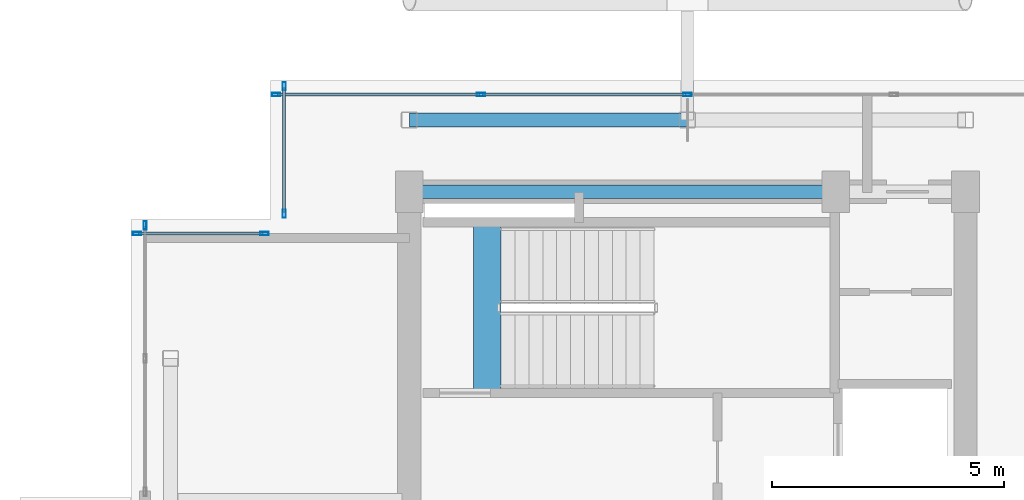
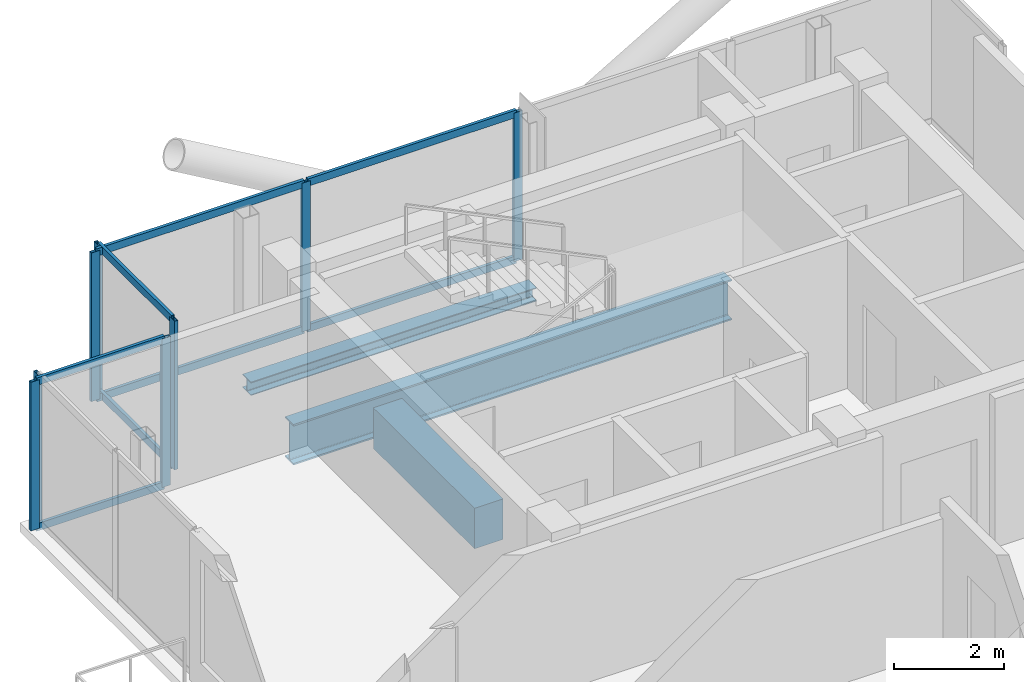
# One storey, part 8 of 18: 16 members, 3 beams, 4 elements without a shape of their own.
"""IFC4 building model written with IfcOpenShell, lengths in metres."""

from ifc_helpers import new_model, si_unit, direction, frame, origin, origin_2d, place, context, subcontext, project, spatial, rectangle, hollow_rectangle, i_section, extrude, material, layer, layer_set, material_profile, profile_set, type_object, element, aggregate, save


model = new_model("IFC4")

# Units and contexts
model_context = context("Model", 3, precision=1e-05, world=origin(), true_north=direction((0.0, 1.0)))
body_context = subcontext(model_context, "Body", "Model", "MODEL_VIEW")
ifc_project = project(units=[si_unit("LENGTHUNIT", "METRE"), si_unit("AREAUNIT", "SQUARE_METRE"), si_unit("VOLUMEUNIT", "CUBIC_METRE"), si_unit("PLANEANGLEUNIT", "RADIAN"), si_unit("MASSUNIT", "GRAM", prefix="KILO"), si_unit("THERMODYNAMICTEMPERATUREUNIT", "KELVIN"), si_unit("POWERUNIT", "WATT")], contexts=[model_context])

# Site, building, storey
site_placement = place(None, origin())
site = spatial("IfcSite", under=ifc_project, at=site_placement, CompositionType="ELEMENT")
building_placement = place(site_placement, origin())
building = spatial("IfcBuilding", under=site, at=building_placement, Name="Svarakhadi Broadcast Tower", CompositionType="ELEMENT")
storey_placement = place(building_placement, frame((0.0, 0.0, 281.699951171875)))
storey = spatial("IfcBuildingStorey", under=building, at=storey_placement, Name="L71", CompositionType="ELEMENT", Elevation=281.699951171875)

# Curtain wall, member
ifc_material_1 = material(Name="Anodised Bronze Aluminium AA 6063-T6", Category="aluminium")
ifc_layer = layer(ifc_material_1, 0.179931640625)
ifc_layer_set = layer_set([ifc_layer], Name="Anodised Bronze Aluminium AA 6063-T6")
curtain_wall_type = type_object("IfcCurtainWallType", Name="CW_Sys_05", PredefinedType="NOTDEFINED", material=ifc_layer_set)
curtain_wall_1_placement = place(storey_placement, origin())
curtain_wall_1 = element("IfcCurtainWall", 1, at=curtain_wall_1_placement, inside=storey, type_object=curtain_wall_type, Name="L71 West Curtain Wall 03", PredefinedType="NOTDEFINED")
ifc_material_profile_1 = material_profile(ifc_material_1, hollow_rectangle(XDim=0.070068359375, YDim=0.179931640625, WallThickness=0.005615234375, at=origin_2d()), Name="ALU MULLION 180x70x6")
ifc_profile_set_1 = profile_set([ifc_material_profile_1], Name="Anodised Bronze Aluminium AA 6063-T6")
member_type_1 = type_object("IfcMemberType", Name="CW_Sys_05_Mul", PredefinedType="MULLION", material=ifc_profile_set_1)
member_1_placement = place(storey_placement, frame((0.300048828125, 26.875, 0.0), z_axis=(0.0, 0.0, 1.0), x_axis=(-1.0, 0.0, 0.0)))
member_1 = element("IfcMember", 2, at=member_1_placement, type_object=member_type_1, Name="CW-05 mullion 3", PredefinedType="MULLION", context=body_context, shape_type="SweptSolid", body=[
    extrude(hollow_rectangle(XDim=0.070068359375, YDim=0.179931640625, WallThickness=0.005615234375, at=origin_2d()), origin(), (0.0, 0.0, 1.0), 3.300048828125),
])
aggregate(curtain_wall_1, [member_1])

# Curtain wall, members
curtain_wall_2_placement = place(storey_placement, origin())
curtain_wall_2 = element("IfcCurtainWall", 3, at=curtain_wall_2_placement, inside=storey, type_object=curtain_wall_type, Name="L71 Unitised Facade Curtain Wall 04", PredefinedType="NOTDEFINED")
member_2_placement = place(storey_placement, frame((0.125, 26.699951171875, 0.0), z_axis=(0.0, 0.0, 1.0), x_axis=(0.0, 1.0, 0.0)))
member_2 = element("IfcMember", 4, at=member_2_placement, type_object=member_type_1, Name="CW-05 mullion 1", PredefinedType="MULLION", context=body_context, shape_type="SweptSolid", body=[
    extrude(hollow_rectangle(XDim=0.070068359375, YDim=0.179931640625, WallThickness=0.005615234375, at=origin_2d()), origin(), (0.0, 0.0, 1.0), 3.300048828125),
])
member_3_placement = place(storey_placement, frame((2.875, 26.699951171875, 0.0), z_axis=(0.0, 0.0, 1.0), x_axis=(0.0, 1.0, 0.0)))
member_3 = element("IfcMember", 5, at=member_3_placement, type_object=member_type_1, Name="CW-05 mullion 2", PredefinedType="MULLION", context=body_context, shape_type="SweptSolid", body=[
    extrude(hollow_rectangle(XDim=0.070068359375, YDim=0.179931640625, WallThickness=0.005615234375, at=origin_2d()), origin(), (0.0, 0.0, 1.0), 3.300048828125),
])

curtain_wall_3_placement = place(storey_placement, origin())
curtain_wall_3 = element("IfcCurtainWall", 6, at=curtain_wall_3_placement, inside=storey, type_object=curtain_wall_type, Name="L71 Unitised Facade Curtain Wall 05", PredefinedType="NOTDEFINED")
member_4_placement = place(storey_placement, frame((3.300048828125, 27.125, 0.0), z_axis=(0.0, 0.0, 1.0), x_axis=(-1.0, 0.0, 0.0)))
member_4 = element("IfcMember", 7, at=member_4_placement, type_object=member_type_1, Name="CW-05 mullion 1", PredefinedType="MULLION", context=body_context, shape_type="SweptSolid", body=[
    extrude(hollow_rectangle(XDim=0.070068359375, YDim=0.179931640625, WallThickness=0.005615234375, at=origin_2d()), origin(), (0.0, 0.0, 1.0), 3.300048828125),
])
member_5_placement = place(storey_placement, frame((3.300048828125, 29.875, 0.0), z_axis=(0.0, 0.0, 1.0), x_axis=(-1.0, 0.0, 0.0)))
member_5 = element("IfcMember", 8, at=member_5_placement, type_object=member_type_1, Name="CW-05 mullion 2", PredefinedType="MULLION", context=body_context, shape_type="SweptSolid", body=[
    extrude(hollow_rectangle(XDim=0.070068359375, YDim=0.179931640625, WallThickness=0.005615234375, at=origin_2d()), origin(), (0.0, 0.0, 1.0), 3.300048828125),
])

curtain_wall_4_placement = place(storey_placement, origin())
curtain_wall_4 = element("IfcCurtainWall", 9, at=curtain_wall_4_placement, inside=storey, type_object=curtain_wall_type, Name="L71 Unitised Facade Curtain Wall 06", PredefinedType="NOTDEFINED")
member_6_placement = place(storey_placement, frame((3.125, 29.699951171875, 0.0), z_axis=(0.0, 0.0, 1.0), x_axis=(0.0, 1.0, 0.0)))
member_6 = element("IfcMember", 10, at=member_6_placement, type_object=member_type_1, Name="CW-05 mullion 1", PredefinedType="MULLION", context=body_context, shape_type="SweptSolid", body=[
    extrude(hollow_rectangle(XDim=0.070068359375, YDim=0.179931640625, WallThickness=0.005615234375, at=origin_2d()), origin(), (0.0, 0.0, 1.0), 3.300048828125),
])
member_7_placement = place(storey_placement, frame((7.544921875, 29.699951171875, 0.0), z_axis=(0.0, 0.0, 1.0), x_axis=(0.0, 1.0, 0.0)))
member_7 = element("IfcMember", 11, at=member_7_placement, type_object=member_type_1, Name="CW-05 mullion 2", PredefinedType="MULLION", context=body_context, shape_type="SweptSolid", body=[
    extrude(hollow_rectangle(XDim=0.070068359375, YDim=0.179931640625, WallThickness=0.005615234375, at=origin_2d()), origin(), (0.0, 0.0, 1.0), 3.300048828125),
])
member_8_placement = place(storey_placement, frame((12.0, 29.699951171875, 0.0), z_axis=(0.0, 0.0, 1.0), x_axis=(0.0, 1.0, 0.0)))
member_8 = element("IfcMember", 12, at=member_8_placement, type_object=member_type_1, Name="CW-05 mullion 3", PredefinedType="MULLION", context=body_context, shape_type="SweptSolid", body=[
    extrude(hollow_rectangle(XDim=0.070068359375, YDim=0.179931640625, WallThickness=0.005615234375, at=origin_2d()), origin(), (0.0, 0.0, 1.0), 3.300048828125),
])

# Member
ifc_material_profile_2 = material_profile(ifc_material_1, hollow_rectangle(XDim=0.06494140625, YDim=0.1650390625, WallThickness=0.0048828125, at=origin_2d()), Name="ALU TRANSOM 165x65x5")
ifc_profile_set_2 = profile_set([ifc_material_profile_2], Name="Anodised Bronze Aluminium AA 6063-T6")
member_type_2 = type_object("IfcMemberType", Name="CW_Sys_05_Trn", PredefinedType="USERDEFINED", material=ifc_profile_set_2)
member_9_placement = place(storey_placement, frame((0.159912109375, 26.699951171875, 0.032470703125), z_axis=(1.0, 0.0, 0.0), x_axis=(0.0, 1.0, 0.0)))
member_9 = element("IfcMember", 13, at=member_9_placement, type_object=member_type_2, Name="CW-05 transom 1.1", ObjectType="TRANSOM", PredefinedType="USERDEFINED", context=body_context, shape_type="SweptSolid", body=[
    extrude(hollow_rectangle(XDim=0.06494140625, YDim=0.1650390625, WallThickness=0.0048828125, at=origin_2d()), origin(), (0.0, 0.0, 1.0), 2.68017578125),
])

member_10_placement = place(storey_placement, frame((0.159912109375, 26.699951171875, 3.267578125), z_axis=(1.0, 0.0, 0.0), x_axis=(0.0, 1.0, 0.0)))
member_10 = element("IfcMember", 14, at=member_10_placement, type_object=member_type_2, Name="CW-05 transom 1.2", ObjectType="TRANSOM", PredefinedType="USERDEFINED", context=body_context, shape_type="SweptSolid", body=[
    extrude(hollow_rectangle(XDim=0.06494140625, YDim=0.1650390625, WallThickness=0.0048828125, at=origin_2d()), origin(), (0.0, 0.0, 1.0), 2.68017578125),
])

aggregate(curtain_wall_2, [member_2, member_3, member_9, member_10])

member_11_placement = place(storey_placement, frame((3.300048828125, 27.159912109375, 0.032470703125), z_axis=(0.0, 1.0, 0.0), x_axis=(-1.0, 0.0, 0.0)))
member_11 = element("IfcMember", 15, at=member_11_placement, type_object=member_type_2, Name="CW-05 transom 1.1", ObjectType="TRANSOM", PredefinedType="USERDEFINED", context=body_context, shape_type="SweptSolid", body=[
    extrude(hollow_rectangle(XDim=0.06494140625, YDim=0.1650390625, WallThickness=0.0048828125, at=origin_2d()), origin(), (0.0, 0.0, 1.0), 2.68017578125),
])

member_12_placement = place(storey_placement, frame((3.300048828125, 27.159912109375, 3.267578125), z_axis=(0.0, 1.0, 0.0), x_axis=(-1.0, 0.0, 0.0)))
member_12 = element("IfcMember", 16, at=member_12_placement, type_object=member_type_2, Name="CW-05 transom 1.2", ObjectType="TRANSOM", PredefinedType="USERDEFINED", context=body_context, shape_type="SweptSolid", body=[
    extrude(hollow_rectangle(XDim=0.06494140625, YDim=0.1650390625, WallThickness=0.0048828125, at=origin_2d()), origin(), (0.0, 0.0, 1.0), 2.68017578125),
])

aggregate(curtain_wall_3, [member_4, member_5, member_11, member_12])

member_13_placement = place(storey_placement, frame((3.159912109375, 29.699951171875, 0.032470703125), z_axis=(1.0, 0.0, 0.0), x_axis=(0.0, 1.0, 0.0)))
member_13 = element("IfcMember", 17, at=member_13_placement, type_object=member_type_2, Name="CW-05 transom 1.1", ObjectType="TRANSOM", PredefinedType="USERDEFINED", context=body_context, shape_type="SweptSolid", body=[
    extrude(hollow_rectangle(XDim=0.06494140625, YDim=0.1650390625, WallThickness=0.0048828125, at=origin_2d()), origin(), (0.0, 0.0, 1.0), 4.35009765625),
])

member_14_placement = place(storey_placement, frame((3.159912109375, 29.699951171875, 3.267578125), z_axis=(1.0, 0.0, 0.0), x_axis=(0.0, 1.0, 0.0)))
member_14 = element("IfcMember", 18, at=member_14_placement, type_object=member_type_2, Name="CW-05 transom 1.2", ObjectType="TRANSOM", PredefinedType="USERDEFINED", context=body_context, shape_type="SweptSolid", body=[
    extrude(hollow_rectangle(XDim=0.06494140625, YDim=0.1650390625, WallThickness=0.0048828125, at=origin_2d()), origin(), (0.0, 0.0, 1.0), 4.35009765625),
])

member_15_placement = place(storey_placement, frame((7.580078125, 29.699951171875, 0.032470703125), z_axis=(1.0, 0.0, 0.0), x_axis=(0.0, 1.0, 0.0)))
member_15 = element("IfcMember", 19, at=member_15_placement, type_object=member_type_2, Name="CW-05 transom 2.1", ObjectType="TRANSOM", PredefinedType="USERDEFINED", context=body_context, shape_type="SweptSolid", body=[
    extrude(hollow_rectangle(XDim=0.06494140625, YDim=0.1650390625, WallThickness=0.0048828125, at=origin_2d()), origin(), (0.0, 0.0, 1.0), 4.385009765625),
])

member_16_placement = place(storey_placement, frame((7.580078125, 29.699951171875, 3.267578125), z_axis=(1.0, 0.0, 0.0), x_axis=(0.0, 1.0, 0.0)))
member_16 = element("IfcMember", 20, at=member_16_placement, type_object=member_type_2, Name="CW-05 transom 2.2", ObjectType="TRANSOM", PredefinedType="USERDEFINED", context=body_context, shape_type="SweptSolid", body=[
    extrude(hollow_rectangle(XDim=0.06494140625, YDim=0.1650390625, WallThickness=0.0048828125, at=origin_2d()), origin(), (0.0, 0.0, 1.0), 4.385009765625),
])

aggregate(curtain_wall_4, [member_6, member_7, member_8, member_13, member_14, member_15, member_16])

# Beams
ifc_material_2 = material(Name="Concrete C50/60 (IS 456 M60)", Category="concrete")
ifc_material_profile_3 = material_profile(ifc_material_2, rectangle(XDim=0.60009765625, YDim=0.89990234375, at=origin_2d()), Name="RC 600x900")
ifc_profile_set_3 = profile_set([ifc_material_profile_3], Name="Concrete C50/60 (IS 456 M60)")
beam_type_1 = type_object("IfcBeamType", Name="Coupling_RC600", PredefinedType="USERDEFINED", material=ifc_profile_set_3)
beam_1_placement = place(storey_placement, frame((7.679931640625, 23.260009765625, -0.449951171875), z_axis=(0.0, 1.0, 0.0), x_axis=(-1.0, 0.0, 0.0)))
element("IfcBeam", 21, at=beam_1_placement, inside=storey, type_object=beam_type_1, Name="L71 Stair ST-01 Landing Throat Trimmer Beam CB-01", ObjectType="GIRDER", PredefinedType="USERDEFINED", context=body_context, shape_type="SweptSolid", body=[
    extrude(rectangle(XDim=0.60009765625, YDim=0.89990234375, at=origin_2d()), origin(), (0.0, 0.0, 1.0), 3.679931640625),
])
ifc_material_3 = material(Name="Steel S355J2 (IS 2062 E350C)", Category="steel")
ifc_material_profile_4 = material_profile(ifc_material_3, i_section(OverallWidth=0.300048828125, OverallDepth=0.300048828125, WebThickness=0.010986328125, FlangeThickness=0.01904296875, FilletRadius=0.027099609375, at=origin_2d()), Name="WPB 300x300x117")
ifc_profile_set_4 = profile_set([ifc_material_profile_4], Name="Steel S355J2 (IS 2062 E350C)")
beam_type_2 = type_object("IfcBeamType", Name="Girder_WPB300", PredefinedType="USERDEFINED", material=ifc_profile_set_4)
beam_2_placement = place(storey_placement, frame((6.0, 29.14990234375, -0.349853515625), z_axis=(1.0, 0.0, 0.0), x_axis=(0.0, 1.0, 0.0)))
element("IfcBeam", 22, at=beam_2_placement, inside=storey, type_object=beam_type_2, Name="L71 Primary E-W Girder G024", ObjectType="GIRDER", PredefinedType="USERDEFINED", context=body_context, shape_type="SweptSolid", body=[
    extrude(i_section(OverallWidth=0.300048828125, OverallDepth=0.300048828125, WebThickness=0.010986328125, FlangeThickness=0.01904296875, FilletRadius=0.027099609375, at=origin_2d()), origin(), (0.0, 0.0, 1.0), 6.0),
])
ifc_material_4 = material(Name="Steel S460ML (IS 2062 E450BR)", Category="steel")
ifc_material_profile_5 = material_profile(ifc_material_4, i_section(OverallWidth=0.300048828125, OverallDepth=0.89990234375, WebThickness=0.0185546875, FlangeThickness=0.034912109375, FilletRadius=0.030029296875, at=origin_2d()), Name="WPB 900x300x291")
ifc_profile_set_5 = profile_set([ifc_material_profile_5], Name="Steel S460ML (IS 2062 E450BR)")
beam_type_3 = type_object("IfcBeamType", Name="Girder_WPB900", PredefinedType="USERDEFINED", material=ifc_profile_set_5)
beam_3_placement = place(storey_placement, frame((6.0, 27.60009765625, -0.64990234375), z_axis=(1.0, 0.0, 0.0), x_axis=(0.0, 1.0, 0.0)))
element("IfcBeam", 23, at=beam_3_placement, inside=storey, type_object=beam_type_3, Name="L71 Primary E-W Girder G022", ObjectType="GIRDER", PredefinedType="USERDEFINED", context=body_context, shape_type="SweptSolid", body=[
    extrude(i_section(OverallWidth=0.300048828125, OverallDepth=0.89990234375, WebThickness=0.0185546875, FlangeThickness=0.034912109375, FilletRadius=0.030029296875, at=origin_2d()), origin(), (0.0, 0.0, 1.0), 9.199951171875),
])

save(model, "model.ifc")
